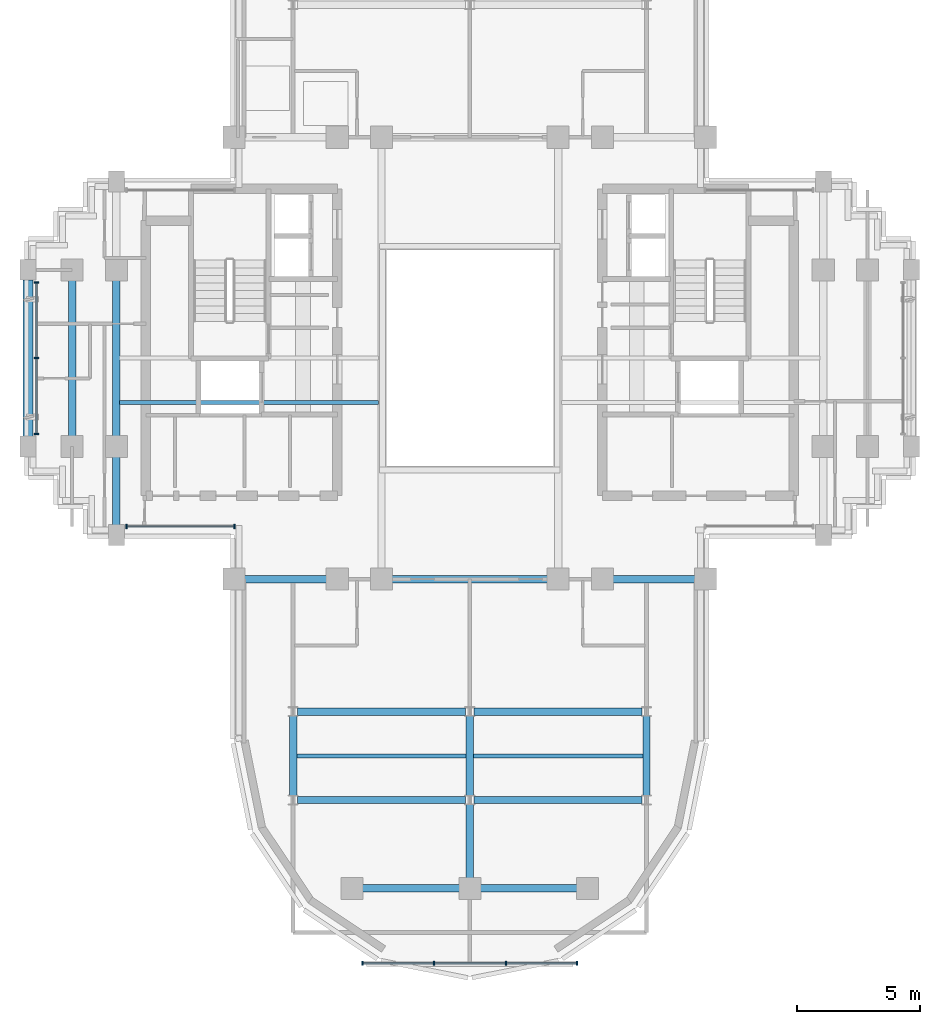
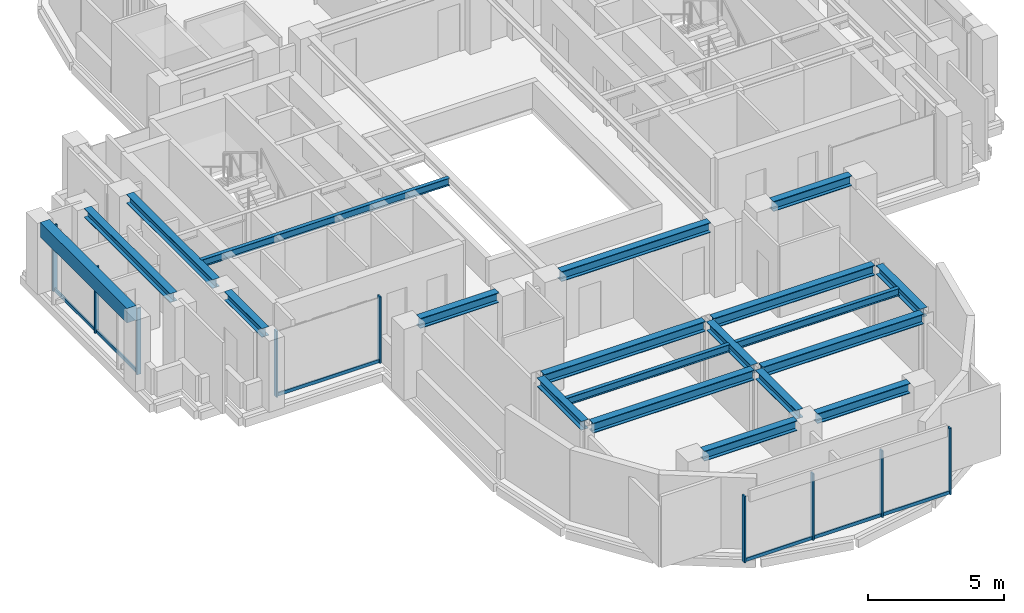
# One storey, part 2 of 12: 20 beams, 15 members, 3 elements without a shape of their own.
"""IFC4 building model written with IfcOpenShell, lengths in metres."""

from ifc_helpers import new_model, si_unit, direction, frame, origin, origin_2d, place, context, subcontext, project, spatial, rectangle, i_section, extrude, source, transform, mapped, material, material_profile, profile_set, type_object, element, aggregate, save


model = new_model("IFC4")

# Units and contexts
model_context = context("Model", 3, precision=1e-05, world=origin(), true_north=direction((0.0, 1.0)))
body_context = subcontext(model_context, "Body", "Model", "MODEL_VIEW")
ifc_project = project(units=[si_unit("LENGTHUNIT", "METRE"), si_unit("AREAUNIT", "SQUARE_METRE"), si_unit("VOLUMEUNIT", "CUBIC_METRE"), si_unit("PLANEANGLEUNIT", "RADIAN"), si_unit("MASSUNIT", "GRAM", prefix="KILO")], contexts=[model_context])

# Site, building, storey
site_placement = place(None, origin())
site = spatial("IfcSite", under=ifc_project, at=site_placement, CompositionType="ELEMENT")
building_placement = place(site_placement, origin())
building = spatial("IfcBuilding", under=site, at=building_placement, Name="Keilestroom Media Tower", CompositionType="ELEMENT")
storey_placement = place(building_placement, frame((0.0, 0.0, 184.199951171875)))
storey = spatial("IfcBuildingStorey", under=building, at=storey_placement, Name="L50", CompositionType="ELEMENT", Elevation=184.199951171875)

# Beams
ifc_material_1 = material(Name="Steel S355", Category="steel")
ifc_material_profile_1 = material_profile(ifc_material_1, i_section(OverallWidth=0.300048828125, OverallDepth=0.449951171875, WebThickness=0.011962890625, FlangeThickness=0.02587890625, at=origin_2d()), Name="HEB 450")
ifc_profile_set_1 = profile_set([ifc_material_profile_1], Name="Steel S355")
beam_type_1 = type_object("IfcBeamType", Name="Primary-Structural-Girder-HEB-450", PredefinedType="BEAM", material=ifc_profile_set_1)
shared_shape_1 = source(origin(), body_context, "Body", "SweptSolid", [
    extrude(i_section(OverallWidth=0.300048828125, OverallDepth=0.449951171875, WebThickness=0.011962890625, FlangeThickness=0.02587890625, at=origin_2d()), origin(), (0.0, 0.0, 1.0), 3.940185546875),
])
for number, where, z_axis, x_axis, name in (
    (1, (-4.3701171875, -21.60009765625, 2.97509765625), (1.0, 0.0, 0.0), (0.0, 1.0, 0.0), "L50 Beam BG-7 BM-L50-EW-001"),
    (2, (0.429931640625, -21.60009765625, 2.97509765625), (1.0, 0.0, 0.0), (0.0, 1.0, 0.0), "L50 Beam BG-7 BM-L50-EW-002"),
):
    element("IfcBeam", number, at=place(storey_placement, frame(where, z_axis=z_axis, x_axis=x_axis)), inside=storey, type_object=beam_type_1, Name=name, PredefinedType="BEAM", context=body_context, shape_type="MappedRepresentation", body=[
        mapped(shared_shape_1, transform((0.0, 0.0, 0.0), x_axis=(1.0, 0.0, 0.0), y_axis=(0.0, 1.0, 0.0), z_axis=(0.0, 0.0, 1.0), scale=1.0)),
    ])
shared_shape_2 = source(origin(), body_context, "Body", "SweptSolid", [
    extrude(i_section(OverallWidth=0.300048828125, OverallDepth=0.449951171875, WebThickness=0.011962890625, FlangeThickness=0.02587890625, at=origin_2d()), origin(), (0.0, 0.0, 1.0), 6.842041015625),
])
for number, where, z_axis, x_axis, name in (
    (3, (-7.02099609375, -18.0, 2.97509765625), (1.0, 0.0, 0.0), (0.0, 1.0, 0.0), "L50 Beam BG-7 BM-L50-EW-003"),
    (4, (0.178955078125, -18.0, 2.97509765625), (1.0, 0.0, 0.0), (0.0, 1.0, 0.0), "L50 Beam BG-7 BM-L50-EW-004"),
    (5, (-7.02099609375, -14.39990234375, 2.97509765625), (1.0, 0.0, 0.0), (0.0, 1.0, 0.0), "L50 Beam BG-7 BM-L50-EW-005"),
    (6, (0.178955078125, -14.39990234375, 2.97509765625), (1.0, 0.0, 0.0), (0.0, 1.0, 0.0), "L50 Beam BG-7 BM-L50-EW-006"),
):
    element("IfcBeam", number, at=place(storey_placement, frame(where, z_axis=z_axis, x_axis=x_axis)), inside=storey, type_object=beam_type_1, Name=name, PredefinedType="BEAM", context=body_context, shape_type="MappedRepresentation", body=[
        mapped(shared_shape_2, transform((0.0, 0.0, 0.0), x_axis=(1.0, 0.0, 0.0), y_axis=(0.0, 1.0, 0.0), z_axis=(0.0, 0.0, 1.0), scale=1.0)),
    ])
shared_shape_3 = source(origin(), body_context, "Body", "SweptSolid", [
    extrude(i_section(OverallWidth=0.300048828125, OverallDepth=0.449951171875, WebThickness=0.011962890625, FlangeThickness=0.02587890625, at=origin_2d()), origin(), (0.0, 0.0, 1.0), 3.33984375),
])
for number, where, z_axis, x_axis, name in (
    (7, (-9.169921875, -9.0, 2.97509765625), (1.0, 0.0, 0.0), (0.0, 1.0, 0.0), "L50 Beam BG-7 BM-L50-EW-007"),
    (8, (5.830078125, -9.0, 2.97509765625), (1.0, 0.0, 0.0), (0.0, 1.0, 0.0), "L50 Beam BG-7 BM-L50-EW-011"),
):
    element("IfcBeam", number, at=place(storey_placement, frame(where, z_axis=z_axis, x_axis=x_axis)), inside=storey, type_object=beam_type_1, Name=name, PredefinedType="BEAM", context=body_context, shape_type="MappedRepresentation", body=[
        mapped(shared_shape_3, transform((0.0, 0.0, 0.0), x_axis=(1.0, 0.0, 0.0), y_axis=(0.0, 1.0, 0.0), z_axis=(0.0, 0.0, 1.0), scale=1.0)),
    ])
shared_shape_4 = source(origin(), body_context, "Body", "SweptSolid", [
    extrude(i_section(OverallWidth=0.300048828125, OverallDepth=0.449951171875, WebThickness=0.011962890625, FlangeThickness=0.02587890625, at=origin_2d()), origin(), (0.0, 0.0, 1.0), 6.33984375),
])
beam_1_placement = place(storey_placement, frame((-3.169921875, -9.0, 2.97509765625), z_axis=(1.0, 0.0, 0.0), x_axis=(0.0, 1.0, 0.0)))
element("IfcBeam", 9, at=beam_1_placement, inside=storey, type_object=beam_type_1, Name="L50 Beam BG-7 BM-L50-EW-009", PredefinedType="BEAM", context=body_context, shape_type="MappedRepresentation", body=[
    mapped(shared_shape_4, transform((0.0, 0.0, 0.0), x_axis=(1.0, 0.0, 0.0), y_axis=(0.0, 1.0, 0.0), z_axis=(0.0, 0.0, 1.0), scale=1.0)),
])
ifc_material_2 = material(Name="Precast concrete C40/50", Category="concrete")
ifc_material_profile_2 = material_profile(ifc_material_2, rectangle(XDim=0.39990234375, YDim=0.64990234375, at=origin_2d()), Name="PC 400x650")
ifc_profile_set_2 = profile_set([ifc_material_profile_2], Name="Precast concrete C40/50")
beam_type_2 = type_object("IfcBeamType", Name="Perimeter-Spandrel-Beam-PC-400x650", PredefinedType="SPANDREL", material=ifc_profile_set_2)
shared_shape_5 = source(origin(), body_context, "Body", "SweptSolid", [
    extrude(rectangle(XDim=0.39990234375, YDim=0.64990234375, at=origin_2d()), origin(), (0.0, 0.0, 1.0), 6.39013671875),
])
beam_2_placement = place(storey_placement, frame((-18.0, -3.195068359375, 2.875), z_axis=(0.0, 1.0, 0.0), x_axis=(-1.0, 0.0, 0.0)))
element("IfcBeam", 10, at=beam_2_placement, inside=storey, type_object=beam_type_2, Name="L50 Beam SPB-2 BM-L50-NS-031", PredefinedType="SPANDREL", context=body_context, shape_type="MappedRepresentation", body=[
    mapped(shared_shape_5, transform((0.0, 0.0, 0.0), x_axis=(1.0, 0.0, 0.0), y_axis=(0.0, 1.0, 0.0), z_axis=(0.0, 0.0, 1.0), scale=1.0)),
])
ifc_material_profile_3 = material_profile(ifc_material_1, i_section(OverallWidth=0.300048828125, OverallDepth=0.39990234375, WebThickness=0.011474609375, FlangeThickness=0.02392578125, at=origin_2d()), Name="HEB 400")
ifc_profile_set_3 = profile_set([ifc_material_profile_3], Name="Steel S355")
beam_type_3 = type_object("IfcBeamType", Name="Primary-Structural-Girder-HEB-400", PredefinedType="BEAM", material=ifc_profile_set_3)
shared_shape_6 = source(origin(), body_context, "Body", "SweptSolid", [
    extrude(i_section(OverallWidth=0.300048828125, OverallDepth=0.39990234375, WebThickness=0.011474609375, FlangeThickness=0.02392578125, at=origin_2d()), origin(), (0.0, 0.0, 1.0), 6.33984375),
])
for number, where, z_axis, x_axis, name in (
    (11, (-16.199951171875, -3.169921875, 3.0), (0.0, 1.0, 0.0), (-1.0, 0.0, 0.0), "L50 Beam BG-8 BM-L50-NS-032"),
    (12, (-14.39990234375, -3.169921875, 3.0), (0.0, 1.0, 0.0), (-1.0, 0.0, 0.0), "L50 Beam BG-8 BM-L50-NS-034"),
):
    element("IfcBeam", number, at=place(storey_placement, frame(where, z_axis=z_axis, x_axis=x_axis)), inside=storey, type_object=beam_type_3, Name=name, PredefinedType="BEAM", context=body_context, shape_type="MappedRepresentation", body=[
        mapped(shared_shape_6, transform((0.0, 0.0, 0.0), x_axis=(1.0, 0.0, 0.0), y_axis=(0.0, 1.0, 0.0), z_axis=(0.0, 0.0, 1.0), scale=1.0)),
    ])
shared_shape_7 = source(origin(), body_context, "Body", "SweptSolid", [
    extrude(i_section(OverallWidth=0.300048828125, OverallDepth=0.39990234375, WebThickness=0.011474609375, FlangeThickness=0.02392578125, at=origin_2d()), origin(), (0.0, 0.0, 1.0), 2.764892578125),
])
beam_3_placement = place(storey_placement, frame((-14.39990234375, -6.794921875, 3.0), z_axis=(0.0, 1.0, 0.0), x_axis=(-1.0, 0.0, 0.0)))
element("IfcBeam", 13, at=beam_3_placement, inside=storey, type_object=beam_type_3, Name="L50 Beam BG-8 BM-L50-NS-033", PredefinedType="BEAM", context=body_context, shape_type="MappedRepresentation", body=[
    mapped(shared_shape_7, transform((0.0, 0.0, 0.0), x_axis=(1.0, 0.0, 0.0), y_axis=(0.0, 1.0, 0.0), z_axis=(0.0, 0.0, 1.0), scale=1.0)),
])
shared_shape_8 = source(origin(), body_context, "Body", "SweptSolid", [
    extrude(i_section(OverallWidth=0.300048828125, OverallDepth=0.39990234375, WebThickness=0.011474609375, FlangeThickness=0.02392578125, at=origin_2d()), origin(), (0.0, 0.0, 1.0), 3.2529296875),
])
for number, where, z_axis, x_axis, name in (
    (14, (-7.199951171875, -17.826416015625, 3.0), (0.0, 1.0, 0.0), (-1.0, 0.0, 0.0), "L50 Beam BG-8 BM-L50-NS-037"),
    (15, (0.0, -17.826416015625, 3.0), (0.0, 1.0, 0.0), (-1.0, 0.0, 0.0), "L50 Beam BG-8 BM-L50-NS-042"),
    (16, (7.199951171875, -17.826416015625, 3.0), (0.0, 1.0, 0.0), (-1.0, 0.0, 0.0), "L50 Beam BG-8 BM-L50-NS-047"),
):
    element("IfcBeam", number, at=place(storey_placement, frame(where, z_axis=z_axis, x_axis=x_axis)), inside=storey, type_object=beam_type_3, Name=name, PredefinedType="BEAM", context=body_context, shape_type="MappedRepresentation", body=[
        mapped(shared_shape_8, transform((0.0, 0.0, 0.0), x_axis=(1.0, 0.0, 0.0), y_axis=(0.0, 1.0, 0.0), z_axis=(0.0, 0.0, 1.0), scale=1.0)),
    ])
shared_shape_9 = source(origin(), body_context, "Body", "SweptSolid", [
    extrude(i_section(OverallWidth=0.300048828125, OverallDepth=0.39990234375, WebThickness=0.011474609375, FlangeThickness=0.02392578125, at=origin_2d()), origin(), (0.0, 0.0, 1.0), 2.996337890625),
])
beam_4_placement = place(storey_placement, frame((0.0, -21.169921875, 3.0), z_axis=(0.0, 1.0, 0.0), x_axis=(-1.0, 0.0, 0.0)))
element("IfcBeam", 17, at=beam_4_placement, inside=storey, type_object=beam_type_3, Name="L50 Beam BG-8 BM-L50-NS-041", PredefinedType="BEAM", context=body_context, shape_type="MappedRepresentation", body=[
    mapped(shared_shape_9, transform((0.0, 0.0, 0.0), x_axis=(1.0, 0.0, 0.0), y_axis=(0.0, 1.0, 0.0), z_axis=(0.0, 0.0, 1.0), scale=1.0)),
])
ifc_material_profile_4 = material_profile(ifc_material_1, i_section(OverallWidth=0.159912109375, OverallDepth=0.330078125, WebThickness=0.007568359375, FlangeThickness=0.011474609375, at=origin_2d()), Name="IPE 330")
ifc_profile_set_4 = profile_set([ifc_material_profile_4], Name="Steel S355")
beam_type_4 = type_object("IfcBeamType", Name="Secondary-Floor-Joist-IPE-330", PredefinedType="JOIST", material=ifc_profile_set_4)
shared_shape_10 = source(origin(), body_context, "Body", "SweptSolid", [
    extrude(i_section(OverallWidth=0.159912109375, OverallDepth=0.330078125, WebThickness=0.007568359375, FlangeThickness=0.011474609375, at=origin_2d()), origin(), (0.0, 0.0, 1.0), 6.940185546875),
])
for number, where, z_axis, x_axis, name in (
    (18, (-7.070068359375, -16.199951171875, 3.03515625), (1.0, 0.0, 0.0), (0.0, 1.0, 0.0), "L50 Beam BJ-6 JST-L50-055"),
    (19, (0.1298828125, -16.199951171875, 3.03515625), (1.0, 0.0, 0.0), (0.0, 1.0, 0.0), "L50 Beam BJ-6 JST-L50-056"),
):
    element("IfcBeam", number, at=place(storey_placement, frame(where, z_axis=z_axis, x_axis=x_axis)), inside=storey, type_object=beam_type_4, Name=name, PredefinedType="JOIST", context=body_context, shape_type="MappedRepresentation", body=[
        mapped(shared_shape_10, transform((0.0, 0.0, 0.0), x_axis=(1.0, 0.0, 0.0), y_axis=(0.0, 1.0, 0.0), z_axis=(0.0, 0.0, 1.0), scale=1.0)),
    ])
shared_shape_11 = source(origin(), body_context, "Body", "SweptSolid", [
    extrude(i_section(OverallWidth=0.159912109375, OverallDepth=0.330078125, WebThickness=0.007568359375, FlangeThickness=0.011474609375, at=origin_2d()), origin(), (0.0, 0.0, 1.0), 10.5400390625),
])
beam_5_placement = place(storey_placement, frame((-14.27001953125, -1.800048828125, 3.03515625), z_axis=(1.0, 0.0, 0.0), x_axis=(0.0, 1.0, 0.0)))
element("IfcBeam", 20, at=beam_5_placement, inside=storey, type_object=beam_type_4, Name="L50 Beam BJ-6 JST-L50-057", PredefinedType="JOIST", context=body_context, shape_type="MappedRepresentation", body=[
    mapped(shared_shape_11, transform((0.0, 0.0, 0.0), x_axis=(1.0, 0.0, 0.0), y_axis=(0.0, 1.0, 0.0), z_axis=(0.0, 0.0, 1.0), scale=1.0)),
])

# Curtain wall, members
ifc_material_3 = material(Name="Anodised Aluminium Alloy", Category="aluminium")
curtain_wall_type_1 = type_object("IfcCurtainWallType", Name="Unitised-Curtain-Wall-CW-6", PredefinedType="NOTDEFINED", material=ifc_material_3)
curtain_wall_1_placement = place(storey_placement, origin())
curtain_wall_1 = element("IfcCurtainWall", 21, at=curtain_wall_1_placement, inside=storey, type_object=curtain_wall_type_1, Name="L50 Curtain Wall CW-6 CW-L50-LS-1", PredefinedType="NOTDEFINED")
ifc_material_profile_5 = material_profile(ifc_material_3, rectangle(XDim=0.06494140625, YDim=0.179931640625, at=origin_2d()), Name="ALU MULLION 65x180")
ifc_profile_set_5 = profile_set([ifc_material_profile_5], Name="Anodised Aluminium Alloy")
member_type_1 = type_object("IfcMemberType", Name="Curtain-Wall-Mullion-CW-6", PredefinedType="MULLION", material=ifc_profile_set_5)
shared_shape_12 = source(origin(), body_context, "Body", "SweptSolid", [
    extrude(rectangle(XDim=0.06494140625, YDim=0.179931640625, at=origin_2d()), origin(), (0.0, 0.0, 1.0), 2.97998046875),
])
member_1_placement = place(storey_placement, frame((-4.367431640625, -24.64990234375, 0.0), z_axis=(0.0, 0.0, 1.0), x_axis=(1.0, 0.0, 0.0)))
member_1 = element("IfcMember", 22, at=member_1_placement, type_object=member_type_1, Name="CW-6 Mullion 00", PredefinedType="MULLION", context=body_context, shape_type="MappedRepresentation", body=[
    mapped(shared_shape_12, transform((0.0, 0.0, 0.0), x_axis=(1.0, 0.0, 0.0), y_axis=(0.0, 1.0, 0.0), z_axis=(0.0, 0.0, 1.0), scale=1.0)),
])
member_2_placement = place(storey_placement, frame((-1.466796875, -24.64990234375, 0.0), z_axis=(0.0, 0.0, 1.0), x_axis=(1.0, 0.0, 0.0)))
member_2 = element("IfcMember", 23, at=member_2_placement, type_object=member_type_1, Name="CW-6 Mullion 01", PredefinedType="MULLION", context=body_context, shape_type="MappedRepresentation", body=[
    mapped(shared_shape_12, transform((0.0, 0.0, 0.0), x_axis=(1.0, 0.0, 0.0), y_axis=(0.0, 1.0, 0.0), z_axis=(0.0, 0.0, 1.0), scale=1.0)),
])
member_3_placement = place(storey_placement, frame((1.466796875, -24.64990234375, 0.0), z_axis=(0.0, 0.0, 1.0), x_axis=(1.0, 0.0, 0.0)))
member_3 = element("IfcMember", 24, at=member_3_placement, type_object=member_type_1, Name="CW-6 Mullion 02", PredefinedType="MULLION", context=body_context, shape_type="MappedRepresentation", body=[
    mapped(shared_shape_12, transform((0.0, 0.0, 0.0), x_axis=(1.0, 0.0, 0.0), y_axis=(0.0, 1.0, 0.0), z_axis=(0.0, 0.0, 1.0), scale=1.0)),
])
member_4_placement = place(storey_placement, frame((4.367431640625, -24.64990234375, 0.0), z_axis=(0.0, 0.0, 1.0), x_axis=(1.0, 0.0, 0.0)))
member_4 = element("IfcMember", 25, at=member_4_placement, type_object=member_type_1, Name="CW-6 Mullion 03", PredefinedType="MULLION", context=body_context, shape_type="MappedRepresentation", body=[
    mapped(shared_shape_12, transform((0.0, 0.0, 0.0), x_axis=(1.0, 0.0, 0.0), y_axis=(0.0, 1.0, 0.0), z_axis=(0.0, 0.0, 1.0), scale=1.0)),
])
ifc_material_profile_6 = material_profile(ifc_material_3, rectangle(XDim=0.06494140625, YDim=0.14990234375, at=origin_2d()), Name="ALU TRANSOM 65x150")
ifc_profile_set_6 = profile_set([ifc_material_profile_6], Name="Anodised Aluminium Alloy")
member_type_2 = type_object("IfcMemberType", Name="Curtain-Wall-Transom-CW-6", PredefinedType="USERDEFINED", material=ifc_profile_set_6)
shared_shape_13 = source(origin(), body_context, "Body", "SweptSolid", [
    extrude(rectangle(XDim=0.06494140625, YDim=0.14990234375, at=origin_2d()), origin(), (0.0, 0.0, 1.0), 2.839599609375),
])
member_5_placement = place(storey_placement, frame((-4.3369140625, -24.64990234375, 0.074951171875), z_axis=(1.0, 0.0, 0.0), x_axis=(0.0, 1.0, 0.0)))
member_5 = element("IfcMember", 26, at=member_5_placement, type_object=member_type_2, Name="CW-6 Transom 00.1", ObjectType="TRANSOM", PredefinedType="USERDEFINED", context=body_context, shape_type="MappedRepresentation", body=[
    mapped(shared_shape_13, transform((0.0, 0.0, 0.0), x_axis=(1.0, 0.0, 0.0), y_axis=(0.0, 1.0, 0.0), z_axis=(0.0, 0.0, 1.0), scale=1.0)),
])
member_6_placement = place(storey_placement, frame((1.497314453125, -24.64990234375, 0.074951171875), z_axis=(1.0, 0.0, 0.0), x_axis=(0.0, 1.0, 0.0)))
member_6 = element("IfcMember", 27, at=member_6_placement, type_object=member_type_2, Name="CW-6 Transom 02.1", ObjectType="TRANSOM", PredefinedType="USERDEFINED", context=body_context, shape_type="MappedRepresentation", body=[
    mapped(shared_shape_13, transform((0.0, 0.0, 0.0), x_axis=(1.0, 0.0, 0.0), y_axis=(0.0, 1.0, 0.0), z_axis=(0.0, 0.0, 1.0), scale=1.0)),
])
shared_shape_14 = source(origin(), body_context, "Body", "SweptSolid", [
    extrude(rectangle(XDim=0.06494140625, YDim=0.14990234375, at=origin_2d()), origin(), (0.0, 0.0, 1.0), 2.87255859375),
])
member_7_placement = place(storey_placement, frame((-1.436279296875, -24.64990234375, 0.074951171875), z_axis=(1.0, 0.0, 0.0), x_axis=(0.0, 1.0, 0.0)))
member_7 = element("IfcMember", 28, at=member_7_placement, type_object=member_type_2, Name="CW-6 Transom 01.1", ObjectType="TRANSOM", PredefinedType="USERDEFINED", context=body_context, shape_type="MappedRepresentation", body=[
    mapped(shared_shape_14, transform((0.0, 0.0, 0.0), x_axis=(1.0, 0.0, 0.0), y_axis=(0.0, 1.0, 0.0), z_axis=(0.0, 0.0, 1.0), scale=1.0)),
])
aggregate(curtain_wall_1, [member_1, member_2, member_3, member_4, member_5, member_7, member_6])

curtain_wall_type_2 = type_object("IfcCurtainWallType", Name="Unitised-Curtain-Wall-CW-3", PredefinedType="NOTDEFINED", material=ifc_material_3)
curtain_wall_2_placement = place(storey_placement, origin())
curtain_wall_2 = element("IfcCurtainWall", 29, at=curtain_wall_2_placement, inside=storey, type_object=curtain_wall_type_2, Name="L50 Curtain Wall CW-3 CW-L50-W-1", PredefinedType="NOTDEFINED")
ifc_material_profile_7 = material_profile(ifc_material_3, rectangle(XDim=0.06494140625, YDim=0.179931640625, at=origin_2d()), Name="ALU MULLION 65x180")
ifc_profile_set_7 = profile_set([ifc_material_profile_7], Name="Anodised Aluminium Alloy")
member_type_3 = type_object("IfcMemberType", Name="Curtain-Wall-Mullion-CW-3", PredefinedType="MULLION", material=ifc_profile_set_7)
shared_shape_15 = source(origin(), body_context, "Body", "SweptSolid", [
    extrude(rectangle(XDim=0.06494140625, YDim=0.179931640625, at=origin_2d()), origin(), (0.0, 0.0, 1.0), 2.97998046875),
])
member_8_placement = place(storey_placement, frame((-17.64990234375, -3.08251953125, 0.0), z_axis=(0.0, 0.0, 1.0), x_axis=(0.0, 1.0, 0.0)))
member_8 = element("IfcMember", 30, at=member_8_placement, type_object=member_type_3, Name="CW-3 Mullion 00", PredefinedType="MULLION", context=body_context, shape_type="MappedRepresentation", body=[
    mapped(shared_shape_15, transform((0.0, 0.0, 0.0), x_axis=(1.0, 0.0, 0.0), y_axis=(0.0, 1.0, 0.0), z_axis=(0.0, 0.0, 1.0), scale=1.0)),
])
member_9_placement = place(storey_placement, frame((-17.64990234375, 0.0, 0.0), z_axis=(0.0, 0.0, 1.0), x_axis=(0.0, 1.0, 0.0)))
member_9 = element("IfcMember", 31, at=member_9_placement, type_object=member_type_3, Name="CW-3 Mullion 01", PredefinedType="MULLION", context=body_context, shape_type="MappedRepresentation", body=[
    mapped(shared_shape_15, transform((0.0, 0.0, 0.0), x_axis=(1.0, 0.0, 0.0), y_axis=(0.0, 1.0, 0.0), z_axis=(0.0, 0.0, 1.0), scale=1.0)),
])
member_10_placement = place(storey_placement, frame((-17.64990234375, 3.08251953125, 0.0), z_axis=(0.0, 0.0, 1.0), x_axis=(0.0, 1.0, 0.0)))
member_10 = element("IfcMember", 32, at=member_10_placement, type_object=member_type_3, Name="CW-3 Mullion 02", PredefinedType="MULLION", context=body_context, shape_type="MappedRepresentation", body=[
    mapped(shared_shape_15, transform((0.0, 0.0, 0.0), x_axis=(1.0, 0.0, 0.0), y_axis=(0.0, 1.0, 0.0), z_axis=(0.0, 0.0, 1.0), scale=1.0)),
])

curtain_wall_3_placement = place(storey_placement, origin())
curtain_wall_3 = element("IfcCurtainWall", 33, at=curtain_wall_3_placement, inside=storey, type_object=curtain_wall_type_2, Name="L50 Curtain Wall CW-3 CW-L50-SW-1", PredefinedType="NOTDEFINED")
member_11_placement = place(storey_placement, frame((-13.982421875, -6.85009765625, 0.0), z_axis=(0.0, 0.0, 1.0), x_axis=(1.0, 0.0, 0.0)))
member_11 = element("IfcMember", 34, at=member_11_placement, type_object=member_type_3, Name="CW-3 Mullion 00", PredefinedType="MULLION", context=body_context, shape_type="MappedRepresentation", body=[
    mapped(shared_shape_15, transform((0.0, 0.0, 0.0), x_axis=(1.0, 0.0, 0.0), y_axis=(0.0, 1.0, 0.0), z_axis=(0.0, 0.0, 1.0), scale=1.0)),
])
member_12_placement = place(storey_placement, frame((-9.58251953125, -6.85009765625, 0.0), z_axis=(0.0, 0.0, 1.0), x_axis=(1.0, 0.0, 0.0)))
member_12 = element("IfcMember", 35, at=member_12_placement, type_object=member_type_3, Name="CW-3 Mullion 01", PredefinedType="MULLION", context=body_context, shape_type="MappedRepresentation", body=[
    mapped(shared_shape_15, transform((0.0, 0.0, 0.0), x_axis=(1.0, 0.0, 0.0), y_axis=(0.0, 1.0, 0.0), z_axis=(0.0, 0.0, 1.0), scale=1.0)),
])
ifc_material_profile_8 = material_profile(ifc_material_3, rectangle(XDim=0.06494140625, YDim=0.14990234375, at=origin_2d()), Name="ALU TRANSOM 65x150")
ifc_profile_set_8 = profile_set([ifc_material_profile_8], Name="Anodised Aluminium Alloy")
member_type_4 = type_object("IfcMemberType", Name="Curtain-Wall-Transom-CW-3", PredefinedType="USERDEFINED", material=ifc_profile_set_8)
shared_shape_16 = source(origin(), body_context, "Body", "SweptSolid", [
    extrude(rectangle(XDim=0.06494140625, YDim=0.14990234375, at=origin_2d()), origin(), (0.0, 0.0, 1.0), 4.3388671875),
])
member_13_placement = place(storey_placement, frame((-13.951904296875, -6.85009765625, 0.074951171875), z_axis=(1.0, 0.0, 0.0), x_axis=(0.0, 1.0, 0.0)))
member_13 = element("IfcMember", 36, at=member_13_placement, type_object=member_type_4, Name="CW-3 Transom 00.1", ObjectType="TRANSOM", PredefinedType="USERDEFINED", context=body_context, shape_type="MappedRepresentation", body=[
    mapped(shared_shape_16, transform((0.0, 0.0, 0.0), x_axis=(1.0, 0.0, 0.0), y_axis=(0.0, 1.0, 0.0), z_axis=(0.0, 0.0, 1.0), scale=1.0)),
])
aggregate(curtain_wall_3, [member_11, member_12, member_13])

# Member
shared_shape_17 = source(origin(), body_context, "Body", "SweptSolid", [
    extrude(rectangle(XDim=0.06494140625, YDim=0.14990234375, at=origin_2d()), origin(), (0.0, 0.0, 1.0), 3.021484375),
])
member_14_placement = place(storey_placement, frame((-17.64990234375, -3.052001953125, 0.074951171875), z_axis=(0.0, 1.0, 0.0), x_axis=(-1.0, 0.0, 0.0)))
member_14 = element("IfcMember", 37, at=member_14_placement, type_object=member_type_4, Name="CW-3 Transom 00.1", ObjectType="TRANSOM", PredefinedType="USERDEFINED", context=body_context, shape_type="MappedRepresentation", body=[
    mapped(shared_shape_17, transform((0.0, 0.0, 0.0), x_axis=(1.0, 0.0, 0.0), y_axis=(0.0, 1.0, 0.0), z_axis=(0.0, 0.0, 1.0), scale=1.0)),
])

member_15_placement = place(storey_placement, frame((-17.64990234375, 0.030517578125, 0.074951171875), z_axis=(0.0, 1.0, 0.0), x_axis=(-1.0, 0.0, 0.0)))
member_15 = element("IfcMember", 38, at=member_15_placement, type_object=member_type_4, Name="CW-3 Transom 01.1", ObjectType="TRANSOM", PredefinedType="USERDEFINED", context=body_context, shape_type="MappedRepresentation", body=[
    mapped(shared_shape_17, transform((0.0, 0.0, 0.0), x_axis=(1.0, 0.0, 0.0), y_axis=(0.0, 1.0, 0.0), z_axis=(0.0, 0.0, 1.0), scale=1.0)),
])

aggregate(curtain_wall_2, [member_8, member_9, member_10, member_14, member_15])

save(model, "model.ifc")
